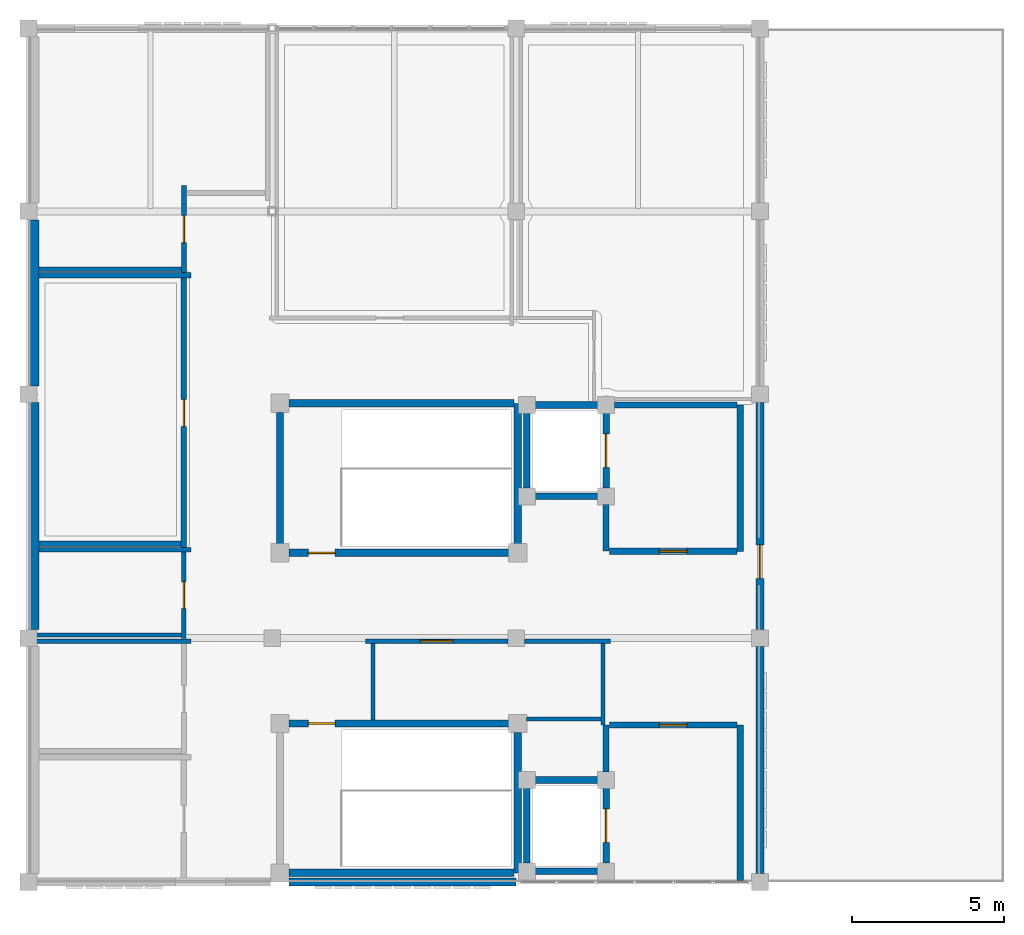
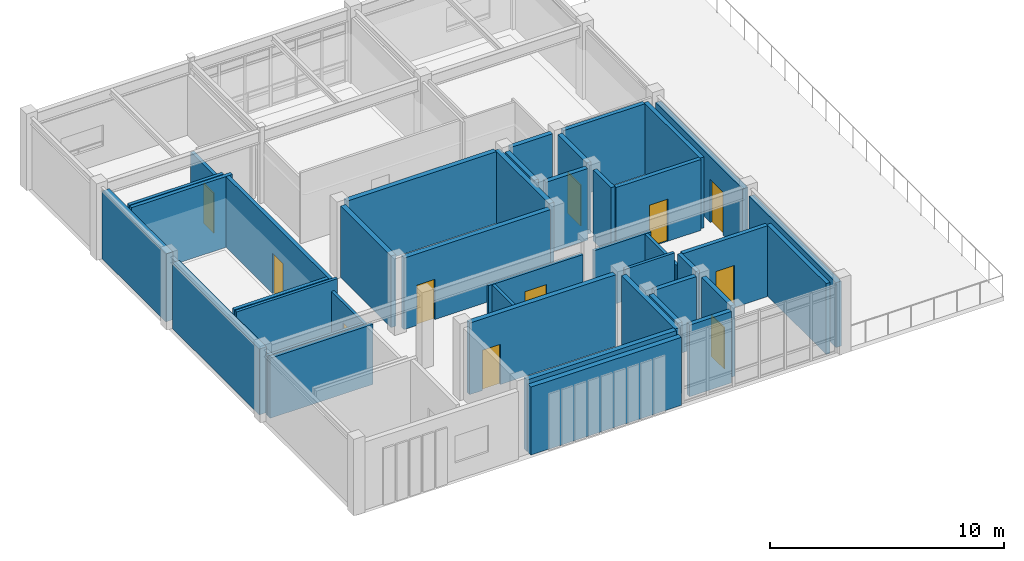
# One storey, part 8 of 11: 41 walls, 11 doors, 11 openings.
"""IFC4 building model written with IfcOpenShell, lengths in metres."""

import ifcopenshell
import ifcopenshell.guid

model = None  # the IFC model being written
_history = None  # IfcOwnerHistory: only IFC2X3 demands one
_inside = {}  # id of a spatial element -> (the spatial element, [elements in it])
_under = {}  # id of a project, library or spatial element -> (it, [spatial elements below it])
_declared = {}  # id of a project -> (the project, [libraries it declares])
_typed = {}  # id of a type object -> (the type object, [elements of that type])
_made_of = {}  # id of a material, layer set ... -> (it, [elements and type objects made of it])


def new_model(schema):
    """Start an empty IFC model of exactly this schema.

    Asked for "IFC4X3", IfcOpenShell would pick the latest addendum, in which some entities
    have other attributes; the version numbers below select the first issue.
    IFC2X3 requires an IfcOwnerHistory on every rooted entity: one is made here for all.
    """
    global model, _history
    if schema == "IFC4X3":
        model = ifcopenshell.file(schema_version=(4, 3, 0, 0))
    else:
        model = ifcopenshell.file(schema=schema)
    _inside.clear()
    _under.clear()
    _declared.clear()
    _typed.clear()
    _made_of.clear()
    _history = None
    if model.schema == "IFC2X3":
        org = make("IfcOrganization", Name="unknown")
        user = make(
            "IfcPersonAndOrganization",
            ThePerson=make("IfcPerson", FamilyName="unknown"),
            TheOrganization=org,
        )
        app = make(
            "IfcApplication",
            ApplicationDeveloper=org,
            Version="unknown",
            ApplicationFullName="unknown",
            ApplicationIdentifier="unknown",
        )
        _history = make(
            "IfcOwnerHistory",
            OwningUser=user,
            OwningApplication=app,
            ChangeAction="ADDED",
            CreationDate=0,
        )
    return model


def make(cls, **values):
    """One entity of the class cls with the attributes given. An attribute that is None is left unset."""
    return model.create_entity(
        cls, **{name: value for name, value in values.items() if value is not None}
    )


def rooted(cls, **values):
    """An entity with a GlobalId (a new one), such as an element, a storey or a relation."""
    return make(cls, GlobalId=ifcopenshell.guid.new(), OwnerHistory=_history, **values)


def si_unit(unit_type, name, prefix=None):
    """IfcSIUnit, for example si_unit("LENGTHUNIT", "METRE", prefix="MILLI")."""
    return make("IfcSIUnit", UnitType=unit_type, Prefix=prefix, Name=name)


def assignment(units):
    """IfcUnitAssignment: the units of a project."""
    return None if units is None else make("IfcUnitAssignment", Units=units)


def point(xyz):
    """IfcCartesianPoint."""
    return None if xyz is None else make("IfcCartesianPoint", Coordinates=xyz)


def direction(xyz):
    """IfcDirection."""
    return None if xyz is None else make("IfcDirection", DirectionRatios=xyz)


def frame(location, z_axis=None, x_axis=None):
    """IfcAxis2Placement3D, a coordinate frame: its origin and axes. An axis left out is left unset."""
    return make(
        "IfcAxis2Placement3D",
        Location=point(location),
        Axis=direction(z_axis),
        RefDirection=direction(x_axis),
    )


def frame_2d(location, x_axis=None):
    """IfcAxis2Placement2D, a coordinate frame in the plane: its origin and x axis."""
    return make(
        "IfcAxis2Placement2D", Location=point(location), RefDirection=direction(x_axis)
    )


def origin():
    """The frame at (0, 0, 0) with its axes left unset."""
    return frame((0.0, 0.0, 0.0))


def place(relative_to, where):
    """IfcLocalPlacement: puts the frame where relative to a parent placement (None: the world)."""
    return make(
        "IfcLocalPlacement", PlacementRelTo=relative_to, RelativePlacement=where
    )


def context(
    kind, dimensions, precision=None, world=None, true_north=None, identifier=None
):
    """IfcGeometricRepresentationContext, for example the 3D "Model" context."""
    return make(
        "IfcGeometricRepresentationContext",
        ContextIdentifier=identifier,
        ContextType=kind,
        CoordinateSpaceDimension=dimensions,
        Precision=precision,
        WorldCoordinateSystem=world,
        TrueNorth=true_north,
    )


def subcontext(parent, identifier, kind, view, scale=None):
    """IfcGeometricRepresentationSubContext, for example "Body" below "Model"."""
    return make(
        "IfcGeometricRepresentationSubContext",
        ContextIdentifier=identifier,
        ContextType=kind,
        ParentContext=parent,
        TargetScale=scale,
        TargetView=view,
    )


def project(units=None, contexts=None):
    """IfcProject with its units and contexts."""
    return rooted(
        "IfcProject",
        Name="project",
        RepresentationContexts=contexts,
        UnitsInContext=assignment(units),
    )


def spatial(cls, under=None, at=None, **own):
    """A site, building, storey or space (cls), placed at a placement, below another one or the project."""
    s = rooted(cls, ObjectPlacement=at, **own)
    if under is not None:
        _under.setdefault(under.id(), (under, []))[1].append(s)
    return s


def profile(cls, at=None, kind="AREA", **sizes):
    """A parametric profile (cls). Its sizes go by their IFC names, for example OverallWidth=200.0."""
    return make(cls, ProfileType=kind, Position=at, **sizes)


def rectangle(**sizes):
    """IfcRectangleProfileDef."""
    return profile("IfcRectangleProfileDef", **sizes)


def extrude(swept, where, along, depth):
    """IfcExtrudedAreaSolid: the profile swept, set in the frame where, extruded along a direction by depth."""
    return make(
        "IfcExtrudedAreaSolid",
        SweptArea=swept,
        Position=where,
        ExtrudedDirection=direction(along),
        Depth=depth,
    )


def shape(context_of_items, identifier, shape_type, items):
    """IfcShapeRepresentation: the items that make up one representation, for example the "Body"."""
    return make(
        "IfcShapeRepresentation",
        ContextOfItems=context_of_items,
        RepresentationIdentifier=identifier,
        RepresentationType=shape_type,
        Items=items,
    )


def material(Name=None, Category=None):
    """IfcMaterial."""
    return make("IfcMaterial", Name=Name, Category=Category)


def layer(
    of_material, thickness, ventilated=None, Name=None, Category=None, Priority=None
):
    """IfcMaterialLayer: one layer of a wall or slab, of a material (None: an air gap)."""
    return make(
        "IfcMaterialLayer",
        Material=of_material,
        LayerThickness=thickness,
        IsVentilated=ventilated,
        Name=Name,
        Category=Category,
        Priority=Priority,
    )


def layer_set(layers, Name=None):
    """IfcMaterialLayerSet."""
    return make("IfcMaterialLayerSet", MaterialLayers=layers, LayerSetName=Name)


def made_of(thing, what):
    """Note that an element or type object is made of a material, layer set ...; save() writes the relation."""
    if what is not None:
        _made_of.setdefault(what.id(), (what, []))[1].append(thing)
    return thing


def type_object(cls, material=None, **own):
    """A type object (cls), such as IfcWallType, which elements share."""
    return made_of(rooted(cls, **own), material)


def element(
    cls,
    number,
    at=None,
    inside=None,
    cuts=None,
    type_object=None,
    material=None,
    context=None,
    identifier="Body",
    shape_type=None,
    held_by="IfcProductDefinitionShape",
    body=None,
    shapes=None,
    **own,
):
    """One element of the class cls, such as IfcWall. Its Tag is "e" and its number.

    at: its placement. inside: the storey or other place that contains it. cuts: it is an
    opening in that element (IfcRelVoidsElement). A single representation is given by context,
    identifier, shape_type and body (its items); several are given by shapes. held_by: the class
    of the entity that holds the representations. save() writes the other relations.
    """
    e = rooted(cls, Tag="e%d" % number, ObjectPlacement=at, **own)
    if body is not None:
        shapes = [shape(context, identifier, shape_type, body)]
    if shapes is not None:
        e.Representation = make(held_by, Representations=shapes)
    if inside is not None:
        _inside.setdefault(inside.id(), (inside, []))[1].append(e)
    if cuts is not None:
        rooted(
            "IfcRelVoidsElement", RelatingBuildingElement=cuts, RelatedOpeningElement=e
        )
    if type_object is not None:
        _typed.setdefault(type_object.id(), (type_object, []))[1].append(e)
    return made_of(e, material)


def fill(opening, filler):
    """IfcRelFillsElement: the door or window that sits in an opening."""
    return rooted(
        "IfcRelFillsElement",
        RelatingOpeningElement=opening,
        RelatedBuildingElement=filler,
    )


def aggregate(whole, parts):
    """IfcRelAggregates: a whole, such as a stair, and the parts it consists of."""
    return rooted("IfcRelAggregates", RelatingObject=whole, RelatedObjects=parts)


def save(model, path):
    """Write the relations noted so far, then the file.

    IfcRelAggregates (storeys below a building ...), IfcRelContainedInSpatialStructure (elements
    in a storey), IfcRelDefinesByType, IfcRelAssociatesMaterial and IfcRelDeclares: one each for
    every whole, place, type object, material and project.
    """
    for whole, parts in _under.values():
        aggregate(whole, parts)
    for where, things in _inside.values():
        rooted(
            "IfcRelContainedInSpatialStructure",
            RelatedElements=things,
            RelatingStructure=where,
        )
    for kind, things in _typed.values():
        rooted("IfcRelDefinesByType", RelatedObjects=things, RelatingType=kind)
    for what, things in _made_of.values():
        rooted("IfcRelAssociatesMaterial", RelatedObjects=things, RelatingMaterial=what)
    for by, libraries in _declared.values():
        rooted("IfcRelDeclares", RelatingContext=by, RelatedDefinitions=libraries)
    model.write(path)


model = new_model("IFC4")

# Units and contexts
model_context = context("Model", 3, precision=1e-05, world=origin(), true_north=direction((0.0, 1.0)))
body_context = subcontext(model_context, "Body", "Model", "MODEL_VIEW")
ifc_project = project(units=[si_unit("LENGTHUNIT", "METRE"), si_unit("AREAUNIT", "SQUARE_METRE"), si_unit("VOLUMEUNIT", "CUBIC_METRE"), si_unit("PLANEANGLEUNIT", "RADIAN"), si_unit("MASSUNIT", "GRAM", prefix="KILO")], contexts=[model_context])

# Site, building, storey
site_placement = place(None, origin())
site = spatial("IfcSite", under=ifc_project, at=site_placement, CompositionType="ELEMENT")
building_placement = place(site_placement, origin())
building = spatial("IfcBuilding", under=site, at=building_placement, Name="Celadon Cloister-Ring School", CompositionType="ELEMENT")
storey_placement = place(building_placement, frame((0.0, 0.0, 20.5)))
storey = spatial("IfcBuildingStorey", under=building, at=storey_placement, Name="L05", CompositionType="ELEMENT", Elevation=20.5)

# Wall, opening, door
ifc_material_1 = material(Name="Rendered concrete blockwork", Category="masonry")
ifc_layer_1 = layer(ifc_material_1, 0.260009765625)
ifc_layer_set_1 = layer_set([ifc_layer_1], Name="Rendered concrete blockwork")
wall_type_1 = type_object("IfcWallType", Name="WT-EX2", PredefinedType="SOLIDWALL", material=ifc_layer_set_1)
wall_1_placement = place(storey_placement, frame((24.0, 55.722900390625, 0.0), z_axis=(0.0, 0.0, 1.0), x_axis=(0.0, -1.0, 0.0)))
wall_1 = element("IfcWall", 1, at=wall_1_placement, inside=storey, type_object=wall_type_1, Name="Exterior Wall 0561", PredefinedType="SOLIDWALL", context=body_context, shape_type="SweptSolid", body=[
    extrude(rectangle(XDim=7.44580078125, YDim=0.260009765625, at=frame_2d((3.722900390625, 0.0))), origin(), (0.0, 0.0, 1.0), 3.43505859375),
])
opening_1_placement = place(wall_1_placement, frame((4.662109375, 0.0, 0.0)))
opening_1 = element("IfcOpeningElement", 2, at=opening_1_placement, cuts=wall_1, Name="Opening D-0027", PredefinedType="OPENING", context=body_context, shape_type="SweptSolid", body=[
    extrude(rectangle(XDim=1.10009765625, YDim=2.25, at=frame_2d((0.550048828125, 1.125))), frame((0.0, 0.14013671875, 0.0), z_axis=(0.0, -1.0, 0.0), x_axis=(1.0, 0.0, 0.0)), (0.0, 0.0, 1.0), 0.280029296875),
])
ifc_material_2 = material(Name="Aluminium EN AW-6063 T6", Category="aluminium")
door_type_1 = type_object("IfcDoorType", Name="DE-05", OperationType="NOTDEFINED", PredefinedType="DOOR", material=ifc_material_2)
door_1_placement = place(opening_1_placement, origin())
door_1 = element("IfcDoor", 3, at=door_1_placement, inside=storey, type_object=door_type_1, Name="Exterior Door D-0027", OperationType="SINGLE_SWING_LEFT", OverallHeight=2.25, OverallWidth=1.10009765625, PredefinedType="DOOR", context=body_context, shape_type="SweptSolid", body=[
    extrude(rectangle(XDim=1.10009765625, YDim=2.25, at=frame_2d((0.550048828125, 1.125))), frame((0.0, 0.02490234375, 0.0), z_axis=(0.0, -1.0, 0.0), x_axis=(1.0, 0.0, 0.0)), (0.0, 0.0, 1.0), 0.050048828125),
])
fill(opening_1, door_1)

# Walls
wall_2_placement = place(storey_placement, frame((24.0, 47.722900390625, 0.0), z_axis=(0.0, 0.0, 1.0), x_axis=(0.0, -1.0, 0.0)))
element("IfcWall", 4, at=wall_2_placement, inside=storey, type_object=wall_type_1, Name="Exterior Wall 0562", PredefinedType="SOLIDWALL", context=body_context, shape_type="SweptSolid", body=[
    extrude(rectangle(XDim=7.44580078125, YDim=0.260009765625, at=frame_2d((3.722900390625, 0.0))), origin(), (0.0, 0.0, 1.0), 3.39697265625),
])
wall_3_placement = place(storey_placement, frame((16.0, 40.0, 0.0), z_axis=(0.0, 0.0, 1.0), x_axis=(-1.0, 0.0, 0.0)))
element("IfcWall", 5, at=wall_3_placement, inside=storey, type_object=wall_type_1, Name="Exterior Wall 0563", PredefinedType="SOLIDWALL", context=body_context, shape_type="SweptSolid", body=[
    extrude(rectangle(XDim=7.447998046875, YDim=0.260009765625, at=frame_2d((3.72412109375, 0.0))), origin(), (0.0, 0.0, 1.0), 3.550048828125),
])
ifc_material_3 = material(Name="Concrete C40/50", Category="concrete")
ifc_layer_2 = layer(ifc_material_3, 0.35009765625)
ifc_layer_set_2 = layer_set([ifc_layer_2], Name="Concrete C40/50")
wall_type_2 = type_object("IfcWallType", Name="WT-FW2", PredefinedType="SHEAR", material=ifc_layer_set_2)
wall_4_placement = place(storey_placement, frame((0.175048828125, 48.277099609375, 0.0), z_axis=(0.0, 0.0, 1.0), x_axis=(0.0, 1.0, 0.0)))
element("IfcWall", 6, at=wall_4_placement, inside=storey, type_object=wall_type_2, Name="Exterior Wall 0566", PredefinedType="SHEAR", context=body_context, shape_type="SweptSolid", body=[
    extrude(rectangle(XDim=7.44580078125, YDim=0.35009765625, at=frame_2d((3.722900390625, 0.0))), origin(), (0.0, 0.0, 1.0), 3.43505859375),
])
wall_5_placement = place(storey_placement, frame((0.175048828125, 56.277099609375, 0.0), z_axis=(0.0, 0.0, 1.0), x_axis=(0.0, 1.0, 0.0)))
element("IfcWall", 7, at=wall_5_placement, inside=storey, type_object=wall_type_2, Name="Exterior Wall 0567", PredefinedType="SHEAR", context=body_context, shape_type="SweptSolid", body=[
    extrude(rectangle(XDim=5.44580078125, YDim=0.35009765625, at=frame_2d((2.722900390625, 0.0))), origin(), (0.0, 0.0, 1.0), 3.544921875),
])
ifc_material_4 = material(Name="Plastered hollow concrete masonry", Category="masonry")
ifc_layer_3 = layer(ifc_material_4, 0.199951171875)
ifc_layer_set_3 = layer_set([ifc_layer_3], Name="Plastered hollow concrete masonry")
wall_type_3 = type_object("IfcWallType", Name="WT-PT1", PredefinedType="PARTITIONING", material=ifc_layer_set_3)
wall_6_placement = place(storey_placement, frame((18.949951171875, 43.616943359375, 0.0), z_axis=(0.0, 0.0, 1.0), x_axis=(0.0, 1.0, 0.0)))
element("IfcWall", 8, at=wall_6_placement, inside=storey, type_object=wall_type_3, Name="Interior Wall 0248", PredefinedType="PARTITIONING", context=body_context, shape_type="SweptSolid", body=[
    extrude(rectangle(XDim=1.532958984375, YDim=0.199951171875, at=frame_2d((0.7666015625, 0.0))), origin(), (0.0, 0.0, 1.0), 3.699951171875),
])
wall_7_placement = place(storey_placement, frame((23.35009765625, 40.05810546875, 0.0), z_axis=(0.0, 0.0, 1.0), x_axis=(0.0, 1.0, 0.0)))
element("IfcWall", 9, at=wall_7_placement, inside=storey, type_object=wall_type_3, Name="Interior Wall 0249", PredefinedType="PARTITIONING", context=body_context, shape_type="SweptSolid", body=[
    extrude(rectangle(XDim=5.091796875, YDim=0.199951171875, at=frame_2d((2.5458984375, 0.0))), origin(), (0.0, 0.0, 1.0), 3.699951171875),
])

# Wall, opening, door
wall_8_placement = place(storey_placement, frame((19.052978515625, 45.14990234375, 0.0), z_axis=(0.0, 0.0, 1.0), x_axis=(1.0, 0.0, 0.0)))
wall_8 = element("IfcWall", 10, at=wall_8_placement, inside=storey, type_object=wall_type_3, Name="Interior Wall 0250", PredefinedType="PARTITIONING", context=body_context, shape_type="SweptSolid", body=[
    extrude(rectangle(XDim=4.194091796875, YDim=0.199951171875, at=frame_2d((2.09716796875, 0.0))), origin(), (0.0, 0.0, 1.0), 3.699951171875),
])
opening_2_placement = place(wall_8_placement, frame((1.64697265625, 0.0, 0.0)))
opening_2 = element("IfcOpeningElement", 11, at=opening_2_placement, cuts=wall_8, Name="Opening D-0090", PredefinedType="OPENING", context=body_context, shape_type="SweptSolid", body=[
    extrude(rectangle(XDim=0.89990234375, YDim=2.199951171875, at=frame_2d((0.449951171875, 1.10009765625))), frame((0.0, 0.10986328125, 0.0), z_axis=(0.0, -1.0, 0.0), x_axis=(1.0, 0.0, 0.0)), (0.0, 0.0, 1.0), 0.219970703125),
])
ifc_material_5 = material(Name="Solid-core fire-rated hardwood leaf", Category="wood")
door_type_2 = type_object("IfcDoorType", Name="DT-06", OperationType="NOTDEFINED", PredefinedType="DOOR", material=ifc_material_5)
door_2_placement = place(opening_2_placement, origin())
door_2 = element("IfcDoor", 12, at=door_2_placement, inside=storey, type_object=door_type_2, Name="Door D-0090", OperationType="SINGLE_SWING_RIGHT", OverallHeight=2.199951171875, OverallWidth=0.89990234375, PredefinedType="DOOR", context=body_context, shape_type="SweptSolid", body=[
    extrude(rectangle(XDim=0.89990234375, YDim=2.199951171875, at=frame_2d((0.449951171875, 1.10009765625))), frame((0.0, 0.02490234375, 0.0), z_axis=(0.0, -1.0, 0.0), x_axis=(1.0, 0.0, 0.0)), (0.0, 0.0, 1.0), 0.050048828125),
])
fill(opening_2, door_2)

# Walls
wall_9_placement = place(storey_placement, frame((18.949951171875, 50.85009765625, 0.0), z_axis=(0.0, 0.0, 1.0), x_axis=(0.0, 1.0, 0.0)))
element("IfcWall", 13, at=wall_9_placement, inside=storey, type_object=wall_type_3, Name="Interior Wall 0295", PredefinedType="PARTITIONING", context=body_context, shape_type="SweptSolid", body=[
    extrude(rectangle(XDim=1.532958984375, YDim=0.199951171875, at=frame_2d((0.7666015625, 0.0))), origin(), (0.0, 0.0, 1.0), 3.699951171875),
])
wall_10_placement = place(storey_placement, frame((23.35009765625, 50.85009765625, 0.0), z_axis=(0.0, 0.0, 1.0), x_axis=(0.0, 1.0, 0.0)))
element("IfcWall", 14, at=wall_10_placement, inside=storey, type_object=wall_type_3, Name="Interior Wall 0296", PredefinedType="PARTITIONING", context=body_context, shape_type="SweptSolid", body=[
    extrude(rectangle(XDim=4.7998046875, YDim=0.199951171875, at=frame_2d((2.39990234375, 0.0))), origin(), (0.0, 0.0, 1.0), 3.699951171875),
])
wall_11_placement = place(storey_placement, frame((19.217041015625, 55.64990234375, 0.0), z_axis=(0.0, 0.0, 1.0), x_axis=(1.0, 0.0, 0.0)))
element("IfcWall", 15, at=wall_11_placement, inside=storey, type_object=wall_type_3, Name="Interior Wall 0297", PredefinedType="PARTITIONING", context=body_context, shape_type="SweptSolid", body=[
    extrude(rectangle(XDim=4.030029296875, YDim=0.199951171875, at=frame_2d((2.01513671875, 0.0))), origin(), (0.0, 0.0, 1.0), 3.699951171875),
])

# Wall, opening, door
wall_12_placement = place(storey_placement, frame((19.052978515625, 50.85009765625, 0.0), z_axis=(0.0, 0.0, 1.0), x_axis=(1.0, 0.0, 0.0)))
wall_12 = element("IfcWall", 16, at=wall_12_placement, inside=storey, type_object=wall_type_3, Name="Interior Wall 0298", PredefinedType="PARTITIONING", context=body_context, shape_type="SweptSolid", body=[
    extrude(rectangle(XDim=4.194091796875, YDim=0.199951171875, at=frame_2d((2.09716796875, 0.0))), origin(), (0.0, 0.0, 1.0), 3.699951171875),
])
opening_3_placement = place(wall_12_placement, frame((1.64697265625, 0.0, 0.0)))
opening_3 = element("IfcOpeningElement", 17, at=opening_3_placement, cuts=wall_12, Name="Opening D-0096", PredefinedType="OPENING", context=body_context, shape_type="SweptSolid", body=[
    extrude(rectangle(XDim=0.89990234375, YDim=2.199951171875, at=frame_2d((0.449951171875, 1.10009765625))), frame((0.0, 0.10986328125, 0.0), z_axis=(0.0, -1.0, 0.0), x_axis=(1.0, 0.0, 0.0)), (0.0, 0.0, 1.0), 0.219970703125),
])
door_3_placement = place(opening_3_placement, origin())
door_3 = element("IfcDoor", 18, at=door_3_placement, inside=storey, type_object=door_type_2, Name="Door D-0096", OperationType="SINGLE_SWING_RIGHT", OverallHeight=2.199951171875, OverallWidth=0.89990234375, PredefinedType="DOOR", context=body_context, shape_type="SweptSolid", body=[
    extrude(rectangle(XDim=0.89990234375, YDim=2.199951171875, at=frame_2d((0.449951171875, 1.10009765625))), frame((0.0, 0.02490234375, 0.0), z_axis=(0.0, -1.0, 0.0), x_axis=(1.0, 0.0, 0.0)), (0.0, 0.0, 1.0), 0.050048828125),
])
fill(opening_3, door_3)

# Wall
ifc_material_6 = material(Name="Plastered hollow concrete masonry", Category="masonry")
ifc_layer_4 = layer(ifc_material_6, 0.179931640625)
ifc_layer_set_4 = layer_set([ifc_layer_4], Name="Plastered hollow concrete masonry")
wall_type_4 = type_object("IfcWallType", Name="WT-PT2", PredefinedType="PARTITIONING", material=ifc_layer_set_4)
wall_13_placement = place(storey_placement, frame((0.35302734375, 59.89990234375, 0.0), z_axis=(0.0, 0.0, 1.0), x_axis=(1.0, 0.0, 0.0)))
element("IfcWall", 19, at=wall_13_placement, inside=storey, type_object=wall_type_4, Name="Interior Wall 1164", PredefinedType="PARTITIONING", context=body_context, shape_type="SweptSolid", body=[
    extrude(rectangle(XDim=4.987060546875, YDim=0.179931640625, at=frame_2d((2.49365234375, 0.0))), origin(), (0.0, 0.0, 1.0), 3.699951171875),
])

# Wall, opening, door
wall_14_placement = place(storey_placement, frame((5.10009765625, 59.806884765625, 0.0), z_axis=(0.0, 0.0, 1.0), x_axis=(0.0, -1.0, 0.0)))
wall_14 = element("IfcWall", 20, at=wall_14_placement, inside=storey, type_object=wall_type_4, Name="Interior Wall 1165", PredefinedType="PARTITIONING", context=body_context, shape_type="SweptSolid", body=[
    extrude(rectangle(XDim=8.833984375, YDim=0.179931640625, at=frame_2d((4.4169921875, 0.0))), origin(), (0.0, 0.0, 1.0), 3.699951171875),
])
opening_4_placement = place(wall_14_placement, frame((3.97705078125, 0.0, 0.0)))
opening_4 = element("IfcOpeningElement", 21, at=opening_4_placement, cuts=wall_14, Name="Opening D-0412", PredefinedType="OPENING", context=body_context, shape_type="SweptSolid", body=[
    extrude(rectangle(XDim=0.8798828125, YDim=2.10009765625, at=frame_2d((0.43994140625, 1.050048828125))), frame((0.0, 0.10009765625, 0.0), z_axis=(0.0, -1.0, 0.0), x_axis=(1.0, 0.0, 0.0)), (0.0, 0.0, 1.0), 0.199951171875),
])
ifc_material_7 = material(Name="Solid-core fire-rated hardwood leaf", Category="wood")
door_type_3 = type_object("IfcDoorType", Name="DT-01", OperationType="NOTDEFINED", PredefinedType="DOOR", material=ifc_material_7)
door_4_placement = place(opening_4_placement, origin())
door_4 = element("IfcDoor", 22, at=door_4_placement, inside=storey, type_object=door_type_3, Name="Door D-0412", OperationType="SINGLE_SWING_RIGHT", OverallHeight=2.10009765625, OverallWidth=0.8798828125, PredefinedType="DOOR", context=body_context, shape_type="SweptSolid", body=[
    extrude(rectangle(XDim=0.8798828125, YDim=2.10009765625, at=frame_2d((0.43994140625, 1.050048828125))), frame((0.0, 0.02490234375, 0.0), z_axis=(0.0, -1.0, 0.0), x_axis=(1.0, 0.0, 0.0)), (0.0, 0.0, 1.0), 0.050048828125),
])
fill(opening_4, door_4)

# Walls
wall_15_placement = place(storey_placement, frame((5.007080078125, 51.10009765625, 0.0), z_axis=(0.0, 0.0, 1.0), x_axis=(-1.0, 0.0, 0.0)))
element("IfcWall", 23, at=wall_15_placement, inside=storey, type_object=wall_type_4, Name="Interior Wall 1166", PredefinedType="PARTITIONING", context=body_context, shape_type="SweptSolid", body=[
    extrude(rectangle(XDim=4.654052734375, YDim=0.179931640625, at=frame_2d((2.3271484375, 0.0))), origin(), (0.0, 0.0, 1.0), 3.699951171875),
])
ifc_material_8 = material(Name="Plastered hollow concrete masonry", Category="masonry")
ifc_layer_5 = layer(ifc_material_8, 0.159912109375)
ifc_layer_set_5 = layer_set([ifc_layer_5], Name="Plastered hollow concrete masonry")
wall_type_5 = type_object("IfcWallType", Name="WT-PT3", PredefinedType="PARTITIONING", material=ifc_layer_set_5)
wall_16_placement = place(storey_placement, frame((0.26708984375, 47.89990234375, 0.0), z_axis=(0.0, 0.0, 1.0), x_axis=(1.0, 0.0, 0.0)))
element("IfcWall", 24, at=wall_16_placement, inside=storey, type_object=wall_type_5, Name="Interior Wall 1149", PredefinedType="PARTITIONING", context=body_context, shape_type="SweptSolid", body=[
    extrude(rectangle(XDim=5.072998046875, YDim=0.159912109375, at=frame_2d((2.53662109375, 0.0))), origin(), (0.0, 0.0, 1.0), 3.139892578125),
])

# Wall, opening, door
wall_17_placement = place(storey_placement, frame((5.10009765625, 62.840087890625, 0.0), z_axis=(0.0, 0.0, 1.0), x_axis=(0.0, -1.0, 0.0)))
wall_17 = element("IfcWall", 25, at=wall_17_placement, inside=storey, type_object=wall_type_5, Name="Interior Wall 1167", PredefinedType="PARTITIONING", context=body_context, shape_type="SweptSolid", body=[
    extrude(rectangle(XDim=2.84716796875, YDim=0.159912109375, at=frame_2d((1.423583984375, 0.0))), origin(), (0.0, 0.0, 1.0), 3.139892578125),
])
opening_5_placement = place(wall_17_placement, frame((0.98388671875, 0.0, 0.0)))
opening_5 = element("IfcOpeningElement", 26, at=opening_5_placement, cuts=wall_17, Name="Opening D-0413", PredefinedType="OPENING", context=body_context, shape_type="SweptSolid", body=[
    extrude(rectangle(XDim=0.8798828125, YDim=2.10009765625, at=frame_2d((0.43994140625, 1.050048828125))), frame((0.0, 0.08984375, 0.0), z_axis=(0.0, -1.0, 0.0), x_axis=(1.0, 0.0, 0.0)), (0.0, 0.0, 1.0), 0.179931640625),
])
door_5_placement = place(opening_5_placement, origin())
door_5 = element("IfcDoor", 27, at=door_5_placement, inside=storey, type_object=door_type_3, Name="Door D-0413", OperationType="SINGLE_SWING_LEFT", OverallHeight=2.10009765625, OverallWidth=0.8798828125, PredefinedType="DOOR", context=body_context, shape_type="SweptSolid", body=[
    extrude(rectangle(XDim=0.8798828125, YDim=2.10009765625, at=frame_2d((0.43994140625, 1.050048828125))), frame((0.0, 0.02490234375, 0.0), z_axis=(0.0, -1.0, 0.0), x_axis=(1.0, 0.0, 0.0)), (0.0, 0.0, 1.0), 0.050048828125),
])
fill(opening_5, door_5)

# Walls
wall_18_placement = place(storey_placement, frame((5.01708984375, 60.10009765625, 0.0), z_axis=(0.0, 0.0, 1.0), x_axis=(-1.0, 0.0, 0.0)))
element("IfcWall", 28, at=wall_18_placement, inside=storey, type_object=wall_type_5, Name="Interior Wall 1168", PredefinedType="PARTITIONING", context=body_context, shape_type="SweptSolid", body=[
    extrude(rectangle(XDim=4.6640625, YDim=0.159912109375, at=frame_2d((2.33203125, 0.0))), origin(), (0.0, 0.0, 1.0), 3.699951171875),
])
ifc_material_9 = material(Name="Acoustic mineral-wool drywall partition")
ifc_layer_6 = layer(ifc_material_9, 0.139892578125)
ifc_layer_set_6 = layer_set([ifc_layer_6], Name="Acoustic mineral-wool drywall partition")
wall_type_6 = type_object("IfcWallType", Name="WT-PT4", PredefinedType="PARTITIONING", material=ifc_layer_set_6)
wall_19_placement = place(storey_placement, frame((0.35302734375, 50.89990234375, 0.0), z_axis=(0.0, 0.0, 1.0), x_axis=(1.0, 0.0, 0.0)))
element("IfcWall", 29, at=wall_19_placement, inside=storey, type_object=wall_type_6, Name="Interior Wall 1152", PredefinedType="PARTITIONING", context=body_context, shape_type="SweptSolid", body=[
    extrude(rectangle(XDim=4.987060546875, YDim=0.139892578125, at=frame_2d((2.49365234375, 0.0))), origin(), (0.0, 0.0, 1.0), 3.699951171875),
])

# Wall, opening, door
wall_20_placement = place(storey_placement, frame((5.10009765625, 50.826904296875, 0.0), z_axis=(0.0, 0.0, 1.0), x_axis=(0.0, -1.0, 0.0)))
wall_20 = element("IfcWall", 30, at=wall_20_placement, inside=storey, type_object=wall_type_6, Name="Interior Wall 1153", PredefinedType="PARTITIONING", context=body_context, shape_type="SweptSolid", body=[
    extrude(rectangle(XDim=2.843994140625, YDim=0.139892578125, at=frame_2d((1.421875, 0.0))), origin(), (0.0, 0.0, 1.0), 3.139892578125),
])
opening_6_placement = place(wall_20_placement, frame((0.98193359375, 0.0, 0.0)))
opening_6 = element("IfcOpeningElement", 31, at=opening_6_placement, cuts=wall_20, Name="Opening D-0409", PredefinedType="OPENING", context=body_context, shape_type="SweptSolid", body=[
    extrude(rectangle(XDim=0.8798828125, YDim=2.10009765625, at=frame_2d((0.43994140625, 1.050048828125))), frame((0.0, 0.080078125, 0.0), z_axis=(0.0, -1.0, 0.0), x_axis=(1.0, 0.0, 0.0)), (0.0, 0.0, 1.0), 0.159912109375),
])
door_6_placement = place(opening_6_placement, origin())
door_6 = element("IfcDoor", 32, at=door_6_placement, inside=storey, type_object=door_type_3, Name="Door D-0409", OperationType="SINGLE_SWING_LEFT", OverallHeight=2.10009765625, OverallWidth=0.8798828125, PredefinedType="DOOR", context=body_context, shape_type="SweptSolid", body=[
    extrude(rectangle(XDim=0.8798828125, YDim=2.10009765625, at=frame_2d((0.43994140625, 1.050048828125))), frame((0.0, 0.02490234375, 0.0), z_axis=(0.0, -1.0, 0.0), x_axis=(1.0, 0.0, 0.0)), (0.0, 0.0, 1.0), 0.050048828125),
])
fill(opening_6, door_6)

# Wall
wall_21_placement = place(storey_placement, frame((5.027099609375, 48.10009765625, 0.0), z_axis=(0.0, 0.0, 1.0), x_axis=(-1.0, 0.0, 0.0)))
element("IfcWall", 33, at=wall_21_placement, inside=storey, type_object=wall_type_6, Name="Interior Wall 1154", PredefinedType="PARTITIONING", context=body_context, shape_type="SweptSolid", body=[
    extrude(rectangle(XDim=4.760009765625, YDim=0.139892578125, at=frame_2d((2.3798828125, 0.0))), origin(), (0.0, 0.0, 1.0), 3.139892578125),
])

# Wall, opening, door
wall_22_placement = place(storey_placement, frame((11.06005859375, 47.89990234375, 0.0), z_axis=(0.0, 0.0, 1.0), x_axis=(1.0, 0.0, 0.0)))
wall_22 = element("IfcWall", 34, at=wall_22_placement, inside=storey, type_object=wall_type_6, Name="Interior Wall 1171", PredefinedType="PARTITIONING", context=body_context, shape_type="SweptSolid", body=[
    extrude(rectangle(XDim=4.6728515625, YDim=0.139892578125, at=frame_2d((2.33642578125, 0.0))), origin(), (0.0, 0.0, 1.0), 3.139892578125),
])
opening_7_placement = place(wall_22_placement, frame((1.805908203125, 0.0, 0.0)))
opening_7 = element("IfcOpeningElement", 35, at=opening_7_placement, cuts=wall_22, Name="Opening D-0414", PredefinedType="OPENING", context=body_context, shape_type="SweptSolid", body=[
    extrude(rectangle(XDim=1.06005859375, YDim=2.199951171875, at=frame_2d((0.530029296875, 1.10009765625))), frame((0.0, 0.080078125, 0.0), z_axis=(0.0, -1.0, 0.0), x_axis=(1.0, 0.0, 0.0)), (0.0, 0.0, 1.0), 0.159912109375),
])
ifc_material_10 = material(Name="Solid-core fire-rated hardwood leaf", Category="wood")
door_type_4 = type_object("IfcDoorType", Name="DT-08", OperationType="NOTDEFINED", PredefinedType="DOOR", material=ifc_material_10)
door_7_placement = place(opening_7_placement, origin())
door_7 = element("IfcDoor", 36, at=door_7_placement, inside=storey, type_object=door_type_4, Name="Door D-0414", OperationType="SINGLE_SWING_RIGHT", OverallHeight=2.199951171875, OverallWidth=1.06005859375, PredefinedType="DOOR", context=body_context, shape_type="SweptSolid", body=[
    extrude(rectangle(XDim=1.06005859375, YDim=2.199951171875, at=frame_2d((0.530029296875, 1.10009765625))), frame((0.0, 0.02490234375, 0.0), z_axis=(0.0, -1.0, 0.0), x_axis=(1.0, 0.0, 0.0)), (0.0, 0.0, 1.0), 0.050048828125),
])
fill(opening_7, door_7)

# Walls
wall_23_placement = place(storey_placement, frame((16.26708984375, 47.89990234375, 0.0), z_axis=(0.0, 0.0, 1.0), x_axis=(1.0, 0.0, 0.0)))
element("IfcWall", 37, at=wall_23_placement, inside=storey, type_object=wall_type_6, Name="Interior Wall 1172", PredefinedType="PARTITIONING", context=body_context, shape_type="SweptSolid", body=[
    extrude(rectangle(XDim=2.822998046875, YDim=0.139892578125, at=frame_2d((1.41162109375, 0.0))), origin(), (0.0, 0.0, 1.0), 3.139892578125),
])
wall_24_placement = place(storey_placement, frame((18.85009765625, 47.826904296875, 0.0), z_axis=(0.0, 0.0, 1.0), x_axis=(0.0, -1.0, 0.0)))
element("IfcWall", 38, at=wall_24_placement, inside=storey, type_object=wall_type_6, Name="Interior Wall 1173", PredefinedType="PARTITIONING", context=body_context, shape_type="SweptSolid", body=[
    extrude(rectangle(XDim=2.677001953125, YDim=0.139892578125, at=frame_2d((1.33837890625, 0.0))), origin(), (0.0, 0.0, 1.0), 3.139892578125),
])
wall_25_placement = place(storey_placement, frame((11.300048828125, 45.322998046875, 0.0), z_axis=(0.0, 0.0, 1.0), x_axis=(0.0, 1.0, 0.0)))
element("IfcWall", 39, at=wall_25_placement, inside=storey, type_object=wall_type_6, Name="Interior Wall 1174", PredefinedType="PARTITIONING", context=body_context, shape_type="SweptSolid", body=[
    extrude(rectangle(XDim=2.50390625, YDim=0.139892578125, at=frame_2d((1.251953125, 0.0))), origin(), (0.0, 0.0, 1.0), 3.139892578125),
])
wall_26_placement = place(storey_placement, frame((18.777099609375, 45.35009765625, 0.0), z_axis=(0.0, 0.0, 1.0), x_axis=(-1.0, 0.0, 0.0)))
element("IfcWall", 40, at=wall_26_placement, inside=storey, type_object=wall_type_6, Name="Interior Wall 1175", PredefinedType="PARTITIONING", context=body_context, shape_type="SweptSolid", body=[
    extrude(rectangle(XDim=2.43505859375, YDim=0.139892578125, at=frame_2d((1.217529296875, 0.0))), origin(), (0.0, 0.0, 1.0), 3.699951171875),
])
ifc_material_11 = material(Name="Concrete C40/50", Category="concrete")
ifc_layer_7 = layer(ifc_material_11, 0.239990234375)
ifc_layer_set_7 = layer_set([ifc_layer_7], Name="Concrete C40/50")
wall_type_7 = type_object("IfcWallType", Name="WT-SH1", PredefinedType="SHEAR", material=ifc_layer_set_7)
wall_27_placement = place(storey_placement, frame((16.050048828125, 44.907958984375, 0.0), z_axis=(0.0, 0.0, 1.0), x_axis=(0.0, -1.0, 0.0)))
element("IfcWall", 41, at=wall_27_placement, inside=storey, type_object=wall_type_7, Name="Interior Wall 0022", PredefinedType="SHEAR", context=body_context, shape_type="SweptSolid", body=[
    extrude(rectangle(XDim=4.60791015625, YDim=0.239990234375, at=frame_2d((2.303955078125, 0.0))), origin(), (0.0, 0.0, 1.0), 3.739990234375),
])
wall_28_placement = place(storey_placement, frame((15.927001953125, 40.300048828125, 0.0), z_axis=(0.0, 0.0, 1.0), x_axis=(-1.0, 0.0, 0.0)))
element("IfcWall", 42, at=wall_28_placement, inside=storey, type_object=wall_type_7, Name="Interior Wall 0023", PredefinedType="SHEAR", context=body_context, shape_type="SweptSolid", body=[
    extrude(rectangle(XDim=7.385009765625, YDim=0.239990234375, at=frame_2d((3.6923828125, 0.0))), origin(), (0.0, 0.0, 1.0), 3.739990234375),
])

# Wall, opening, door
wall_29_placement = place(storey_placement, frame((15.758056640625, 45.199951171875, 0.0), z_axis=(0.0, 0.0, 1.0), x_axis=(-1.0, 0.0, 0.0)))
wall_29 = element("IfcWall", 43, at=wall_29_placement, inside=storey, type_object=wall_type_7, Name="Interior Wall 0024", PredefinedType="SHEAR", context=body_context, shape_type="SweptSolid", body=[
    extrude(rectangle(XDim=7.216064453125, YDim=0.239990234375, at=frame_2d((3.60791015625, 0.0))), origin(), (0.0, 0.0, 1.0), 3.739990234375),
])
opening_8_placement = place(wall_29_placement, frame((5.694091796875, 0.0, 0.0)))
opening_8 = element("IfcOpeningElement", 44, at=opening_8_placement, cuts=wall_29, Name="Opening D-0038", PredefinedType="OPENING", context=body_context, shape_type="SweptSolid", body=[
    extrude(rectangle(XDim=0.8798828125, YDim=2.10009765625, at=frame_2d((0.43994140625, 1.050048828125))), frame((0.0, 0.1298828125, 0.0), z_axis=(0.0, -1.0, 0.0), x_axis=(1.0, 0.0, 0.0)), (0.0, 0.0, 1.0), 0.260009765625),
])
door_8_placement = place(opening_8_placement, origin())
door_8 = element("IfcDoor", 45, at=door_8_placement, inside=storey, type_object=door_type_3, Name="Door D-0038", OperationType="SINGLE_SWING_RIGHT", OverallHeight=2.10009765625, OverallWidth=0.8798828125, PredefinedType="DOOR", context=body_context, shape_type="SweptSolid", body=[
    extrude(rectangle(XDim=0.8798828125, YDim=2.10009765625, at=frame_2d((0.43994140625, 1.050048828125))), frame((0.0, 0.02490234375, 0.0), z_axis=(0.0, -1.0, 0.0), x_axis=(1.0, 0.0, 0.0)), (0.0, 0.0, 1.0), 0.050048828125),
])
fill(opening_8, door_8)

# Walls
wall_30_placement = place(storey_placement, frame((8.25, 51.092041015625, 0.0), z_axis=(0.0, 0.0, 1.0), x_axis=(0.0, 1.0, 0.0)))
element("IfcWall", 46, at=wall_30_placement, inside=storey, type_object=wall_type_7, Name="Interior Wall 0045", PredefinedType="SHEAR", context=body_context, shape_type="SweptSolid", body=[
    extrude(rectangle(XDim=4.31591796875, YDim=0.239990234375, at=frame_2d((2.157958984375, 0.0))), origin(), (0.0, 0.0, 1.0), 3.739990234375),
])
wall_31_placement = place(storey_placement, frame((16.050048828125, 55.699951171875, 0.0), z_axis=(0.0, 0.0, 1.0), x_axis=(0.0, -1.0, 0.0)))
element("IfcWall", 47, at=wall_31_placement, inside=storey, type_object=wall_type_7, Name="Interior Wall 0046", PredefinedType="SHEAR", context=body_context, shape_type="SweptSolid", body=[
    extrude(rectangle(XDim=4.60791015625, YDim=0.239990234375, at=frame_2d((2.303955078125, 0.0))), origin(), (0.0, 0.0, 1.0), 3.739990234375),
])

# Wall, opening, door
wall_32_placement = place(storey_placement, frame((15.758056640625, 50.800048828125, 0.0), z_axis=(0.0, 0.0, 1.0), x_axis=(-1.0, 0.0, 0.0)))
wall_32 = element("IfcWall", 48, at=wall_32_placement, inside=storey, type_object=wall_type_7, Name="Interior Wall 0047", PredefinedType="SHEAR", context=body_context, shape_type="SweptSolid", body=[
    extrude(rectangle(XDim=7.216064453125, YDim=0.239990234375, at=frame_2d((3.60791015625, 0.0))), origin(), (0.0, 0.0, 1.0), 3.739990234375),
])
opening_9_placement = place(wall_32_placement, frame((5.694091796875, 0.0, 0.0)))
opening_9 = element("IfcOpeningElement", 49, at=opening_9_placement, cuts=wall_32, Name="Opening D-0044", PredefinedType="OPENING", context=body_context, shape_type="SweptSolid", body=[
    extrude(rectangle(XDim=0.8798828125, YDim=2.10009765625, at=frame_2d((0.43994140625, 1.050048828125))), frame((0.0, 0.1298828125, 0.0), z_axis=(0.0, -1.0, 0.0), x_axis=(1.0, 0.0, 0.0)), (0.0, 0.0, 1.0), 0.260009765625),
])
door_9_placement = place(opening_9_placement, origin())
door_9 = element("IfcDoor", 50, at=door_9_placement, inside=storey, type_object=door_type_3, Name="Door D-0044", OperationType="SINGLE_SWING_RIGHT", OverallHeight=2.10009765625, OverallWidth=0.8798828125, PredefinedType="DOOR", context=body_context, shape_type="SweptSolid", body=[
    extrude(rectangle(XDim=0.8798828125, YDim=2.10009765625, at=frame_2d((0.43994140625, 1.050048828125))), frame((0.0, 0.02490234375, 0.0), z_axis=(0.0, -1.0, 0.0), x_axis=(1.0, 0.0, 0.0)), (0.0, 0.0, 1.0), 0.050048828125),
])
fill(opening_9, door_9)

# Walls
wall_33_placement = place(storey_placement, frame((15.927001953125, 55.699951171875, 0.0), z_axis=(0.0, 0.0, 1.0), x_axis=(-1.0, 0.0, 0.0)))
element("IfcWall", 51, at=wall_33_placement, inside=storey, type_object=wall_type_7, Name="Interior Wall 0048", PredefinedType="SHEAR", context=body_context, shape_type="SweptSolid", body=[
    extrude(rectangle(XDim=7.385009765625, YDim=0.239990234375, at=frame_2d((3.6923828125, 0.0))), origin(), (0.0, 0.0, 1.0), 3.739990234375),
])
ifc_material_12 = material(Name="Concrete C40/50", Category="concrete")
ifc_layer_8 = layer(ifc_material_12, 0.219970703125)
ifc_layer_set_8 = layer_set([ifc_layer_8], Name="Concrete C40/50")
wall_type_8 = type_object("IfcWallType", Name="WT-SH2", PredefinedType="SHEAR", material=ifc_layer_set_8)
wall_34_placement = place(storey_placement, frame((16.616943359375, 40.35009765625, 0.0), z_axis=(0.0, 0.0, 1.0), x_axis=(1.0, 0.0, 0.0)))
element("IfcWall", 52, at=wall_34_placement, inside=storey, type_object=wall_type_8, Name="Interior Wall 0244", PredefinedType="SHEAR", context=body_context, shape_type="SweptSolid", body=[
    extrude(rectangle(XDim=2.066162109375, YDim=0.219970703125, at=frame_2d((1.033203125, 0.0))), origin(), (0.0, 0.0, 1.0), 3.739990234375),
])

# Wall, opening, door
wall_35_placement = place(storey_placement, frame((18.949951171875, 40.616943359375, 0.0), z_axis=(0.0, 0.0, 1.0), x_axis=(0.0, 1.0, 0.0)))
wall_35 = element("IfcWall", 53, at=wall_35_placement, inside=storey, type_object=wall_type_8, Name="Interior Wall 0245", PredefinedType="SHEAR", context=body_context, shape_type="SweptSolid", body=[
    extrude(rectangle(XDim=2.466064453125, YDim=0.219970703125, at=frame_2d((1.23291015625, 0.0))), origin(), (0.0, 0.0, 1.0), 3.739990234375),
])
opening_10_placement = place(wall_35_placement, frame((0.68310546875, 0.0, 0.0)))
opening_10 = element("IfcOpeningElement", 54, at=opening_10_placement, cuts=wall_35, Name="Opening LD-006", PredefinedType="OPENING", context=body_context, shape_type="SweptSolid", body=[
    extrude(rectangle(XDim=1.10009765625, YDim=2.14990234375, at=frame_2d((0.550048828125, 1.074951171875))), frame((0.0, 0.1201171875, 0.0), z_axis=(0.0, -1.0, 0.0), x_axis=(1.0, 0.0, 0.0)), (0.0, 0.0, 1.0), 0.239990234375),
])
ifc_material_13 = material(Name="Galvanised fire-rated hollow steel leaf", Category="steel")
door_type_5 = type_object("IfcDoorType", Name="DT-LD1", OperationType="DOUBLE_DOOR_SLIDING", PredefinedType="DOOR", material=ifc_material_13)
door_10_placement = place(opening_10_placement, origin())
door_10 = element("IfcDoor", 55, at=door_10_placement, inside=storey, type_object=door_type_5, Name="Door LD-006", OperationType="DOUBLE_DOOR_SLIDING", OverallHeight=2.14990234375, OverallWidth=1.10009765625, PredefinedType="DOOR", context=body_context, shape_type="SweptSolid", body=[
    extrude(rectangle(XDim=1.10009765625, YDim=2.14990234375, at=frame_2d((0.550048828125, 1.074951171875))), frame((0.0, 0.02490234375, 0.0), z_axis=(0.0, -1.0, 0.0), x_axis=(1.0, 0.0, 0.0)), (0.0, 0.0, 1.0), 0.050048828125),
])
fill(opening_10, door_10)

# Walls
wall_36_placement = place(storey_placement, frame((18.68310546875, 43.35009765625, 0.0), z_axis=(0.0, 0.0, 1.0), x_axis=(-1.0, 0.0, 0.0)))
element("IfcWall", 56, at=wall_36_placement, inside=storey, type_object=wall_type_8, Name="Interior Wall 0246", PredefinedType="SHEAR", context=body_context, shape_type="SweptSolid", body=[
    extrude(rectangle(XDim=2.066162109375, YDim=0.219970703125, at=frame_2d((1.033203125, 0.0))), origin(), (0.0, 0.0, 1.0), 3.739990234375),
])
wall_37_placement = place(storey_placement, frame((16.35009765625, 43.0830078125, 0.0), z_axis=(0.0, 0.0, 1.0), x_axis=(0.0, -1.0, 0.0)))
element("IfcWall", 57, at=wall_37_placement, inside=storey, type_object=wall_type_8, Name="Interior Wall 0247", PredefinedType="SHEAR", context=body_context, shape_type="SweptSolid", body=[
    extrude(rectangle(XDim=2.466064453125, YDim=0.219970703125, at=frame_2d((1.23291015625, 0.0))), origin(), (0.0, 0.0, 1.0), 3.739990234375),
])
wall_38_placement = place(storey_placement, frame((16.616943359375, 52.64990234375, 0.0), z_axis=(0.0, 0.0, 1.0), x_axis=(1.0, 0.0, 0.0)))
element("IfcWall", 58, at=wall_38_placement, inside=storey, type_object=wall_type_8, Name="Interior Wall 0291", PredefinedType="SHEAR", context=body_context, shape_type="SweptSolid", body=[
    extrude(rectangle(XDim=2.066162109375, YDim=0.219970703125, at=frame_2d((1.033203125, 0.0))), origin(), (0.0, 0.0, 1.0), 3.739990234375),
])

# Wall, opening, door
wall_39_placement = place(storey_placement, frame((18.949951171875, 52.9169921875, 0.0), z_axis=(0.0, 0.0, 1.0), x_axis=(0.0, 1.0, 0.0)))
wall_39 = element("IfcWall", 59, at=wall_39_placement, inside=storey, type_object=wall_type_8, Name="Interior Wall 0292", PredefinedType="SHEAR", context=body_context, shape_type="SweptSolid", body=[
    extrude(rectangle(XDim=2.466064453125, YDim=0.219970703125, at=frame_2d((1.23291015625, 0.0))), origin(), (0.0, 0.0, 1.0), 3.739990234375),
])
opening_11_placement = place(wall_39_placement, frame((0.68310546875, 0.0, 0.0)))
opening_11 = element("IfcOpeningElement", 60, at=opening_11_placement, cuts=wall_39, Name="Opening LD-012", PredefinedType="OPENING", context=body_context, shape_type="SweptSolid", body=[
    extrude(rectangle(XDim=1.10009765625, YDim=2.14990234375, at=frame_2d((0.550048828125, 1.074951171875))), frame((0.0, 0.1201171875, 0.0), z_axis=(0.0, -1.0, 0.0), x_axis=(1.0, 0.0, 0.0)), (0.0, 0.0, 1.0), 0.239990234375),
])
door_11_placement = place(opening_11_placement, origin())
door_11 = element("IfcDoor", 61, at=door_11_placement, inside=storey, type_object=door_type_5, Name="Door LD-012", OperationType="DOUBLE_DOOR_SLIDING", OverallHeight=2.14990234375, OverallWidth=1.10009765625, PredefinedType="DOOR", context=body_context, shape_type="SweptSolid", body=[
    extrude(rectangle(XDim=1.10009765625, YDim=2.14990234375, at=frame_2d((0.550048828125, 1.074951171875))), frame((0.0, 0.02490234375, 0.0), z_axis=(0.0, -1.0, 0.0), x_axis=(1.0, 0.0, 0.0)), (0.0, 0.0, 1.0), 0.050048828125),
])
fill(opening_11, door_11)

# Walls
wall_40_placement = place(storey_placement, frame((18.68310546875, 55.64990234375, 0.0), z_axis=(0.0, 0.0, 1.0), x_axis=(-1.0, 0.0, 0.0)))
element("IfcWall", 62, at=wall_40_placement, inside=storey, type_object=wall_type_8, Name="Interior Wall 0293", PredefinedType="SHEAR", context=body_context, shape_type="SweptSolid", body=[
    extrude(rectangle(XDim=2.066162109375, YDim=0.219970703125, at=frame_2d((1.033203125, 0.0))), origin(), (0.0, 0.0, 1.0), 3.739990234375),
])
wall_41_placement = place(storey_placement, frame((16.35009765625, 55.383056640625, 0.0), z_axis=(0.0, 0.0, 1.0), x_axis=(0.0, -1.0, 0.0)))
element("IfcWall", 63, at=wall_41_placement, inside=storey, type_object=wall_type_8, Name="Interior Wall 0294", PredefinedType="SHEAR", context=body_context, shape_type="SweptSolid", body=[
    extrude(rectangle(XDim=2.466064453125, YDim=0.219970703125, at=frame_2d((1.23291015625, 0.0))), origin(), (0.0, 0.0, 1.0), 3.739990234375),
])

save(model, "model.ifc")
